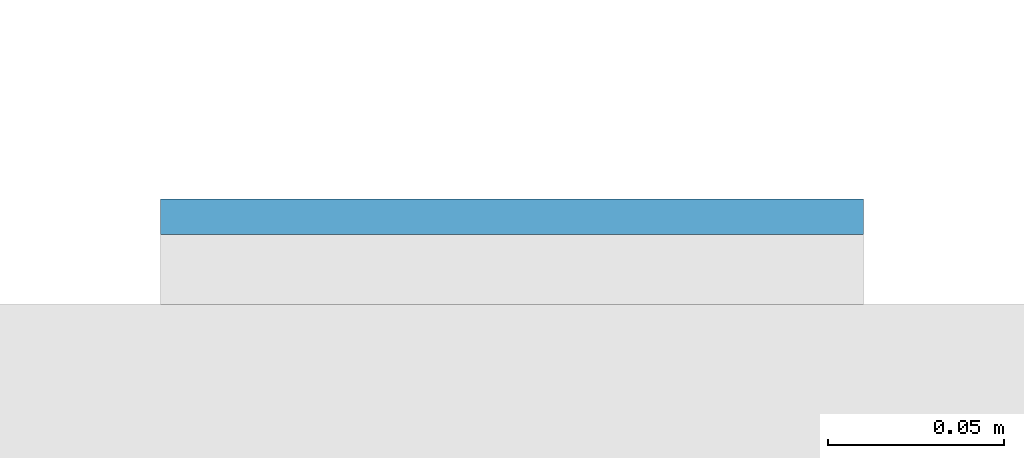
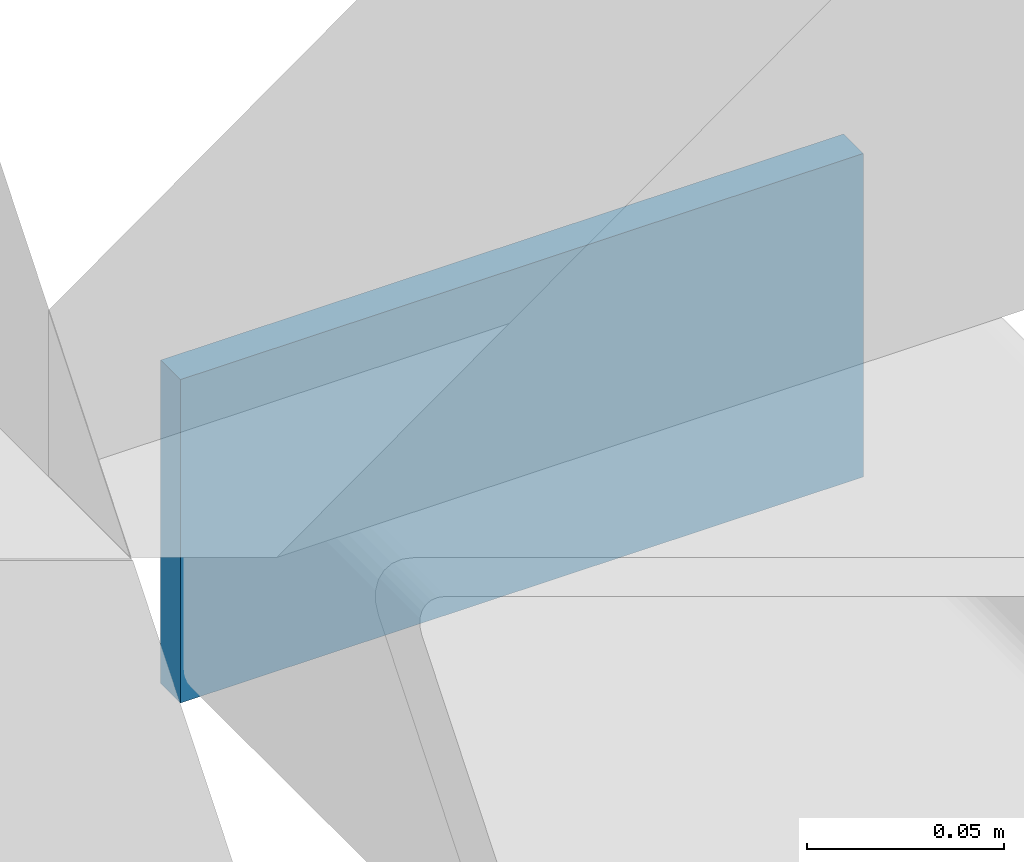
# One storey, part 11 of 20: 1 plate.
"""IFC4 building model written with IfcOpenShell, lengths in metres."""

from ifc_helpers import new_model, si_unit, direction, frame, origin, origin_2d, place, context, subcontext, project, spatial, rectangle, extrude, material, layer, layer_set, type_object, element, save


model = new_model("IFC4")

# Units and contexts
model_context = context("Model", 3, precision=1e-05, world=origin(), true_north=direction((0.0, 1.0)))
body_context = subcontext(model_context, "Body", "Model", "MODEL_VIEW")
ifc_project = project(units=[si_unit("LENGTHUNIT", "METRE"), si_unit("AREAUNIT", "SQUARE_METRE"), si_unit("VOLUMEUNIT", "CUBIC_METRE"), si_unit("PLANEANGLEUNIT", "RADIAN"), si_unit("MASSUNIT", "GRAM", prefix="KILO")], contexts=[model_context])

# Site, building, storey
site_placement = place(None, origin())
site = spatial("IfcSite", under=ifc_project, at=site_placement, CompositionType="ELEMENT")
building_placement = place(site_placement, origin())
building = spatial("IfcBuilding", under=site, at=building_placement, Name="Cleftline Residences", CompositionType="ELEMENT")
storey_placement = place(building_placement, frame((0.0, 0.0, 157.39990234375)))
storey = spatial("IfcBuildingStorey", under=building, at=storey_placement, Name="L41", CompositionType="ELEMENT", Elevation=157.39990234375)

# Plate
ifc_material = material(Name="Steel S355, hot-dip galvanised", Category="steel")
ifc_layer = layer(ifc_material, 0.010009765625)
ifc_layer_set = layer_set([ifc_layer], Name="BAGUETTE CARRIER END PLATE 200X100X10")
plate_type = type_object("IfcPlateType", Name="BAGUETTE CARRIER END PLATE 200X100X10", PredefinedType="USERDEFINED", material=ifc_layer_set)
plate_placement = place(storey_placement, frame((66.85009765625, 44.304931640625, -0.099853515625), z_axis=(0.0, 0.0, 1.0), x_axis=(1.0, 0.0, 0.0)))
element("IfcPlate", 1, at=plate_placement, inside=storey, type_object=plate_type, Name="Baguette carrier end plate", ObjectType="BAGUETTE CARRIER END PLATE", PredefinedType="USERDEFINED", context=body_context, shape_type="SweptSolid", body=[
    extrude(rectangle(XDim=0.199951171875, YDim=0.010009765625, at=origin_2d()), origin(), (0.0, 0.0, 1.0), 0.10009765625),
])

save(model, "model.ifc")
